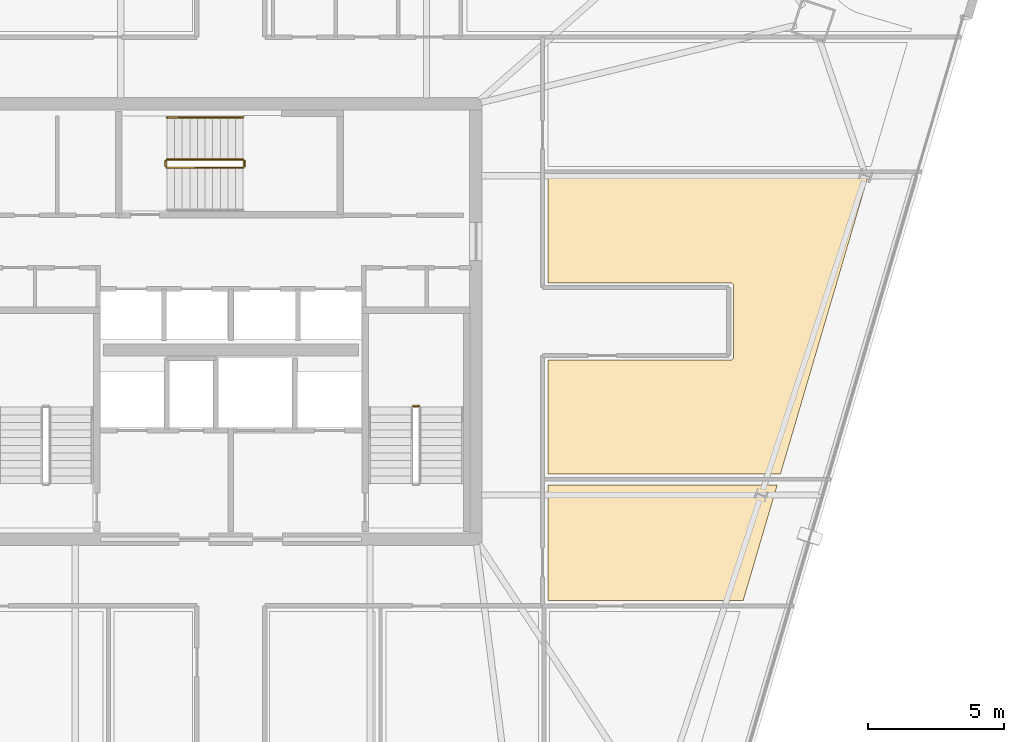
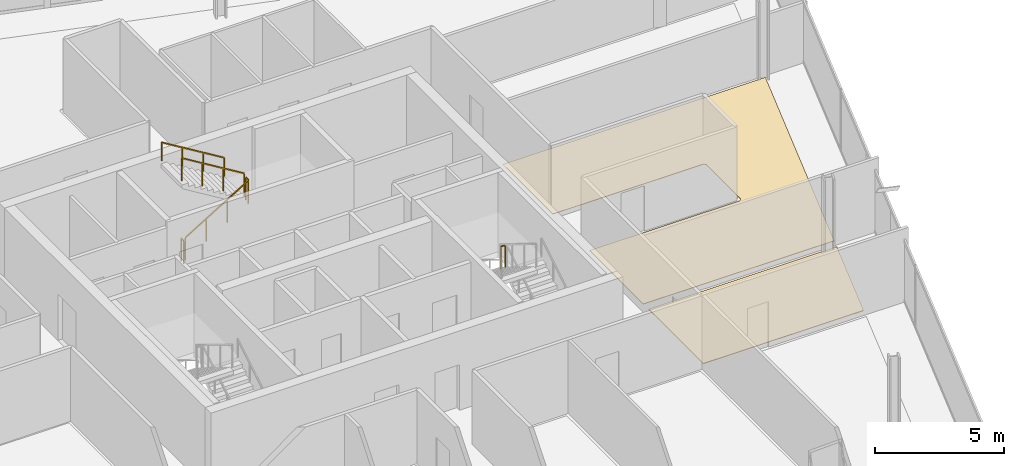
# One storey, part 25 of 26: 6 railings, 2 coverings.
"""IFC4 building model written with IfcOpenShell, lengths in metres."""

from ifc_helpers import new_model, si_unit, direction, frame, origin, origin_2d, place, context, subcontext, project, spatial, polyline, rectangle, outline, extrude, material, layer, layer_set, type_object, element, save


model = new_model("IFC4")

# Units and contexts
model_context = context("Model", 3, precision=1e-05, world=origin(), true_north=direction((0.0, 1.0)))
body_context = subcontext(model_context, "Body", "Model", "MODEL_VIEW")
ifc_project = project(units=[si_unit("LENGTHUNIT", "METRE"), si_unit("AREAUNIT", "SQUARE_METRE"), si_unit("VOLUMEUNIT", "CUBIC_METRE"), si_unit("PLANEANGLEUNIT", "RADIAN"), si_unit("MASSUNIT", "GRAM", prefix="KILO")], contexts=[model_context])

# Site, building, storey
site_placement = place(None, origin())
site = spatial("IfcSite", under=ifc_project, at=site_placement, CompositionType="ELEMENT")
building_placement = place(site_placement, origin())
building = spatial("IfcBuilding", under=site, at=building_placement, Name="Haldenkirk Collegiate Tower", CompositionType="ELEMENT")
storey_placement = place(building_placement, frame((0.0, 0.0, 274.949951171875)))
storey = spatial("IfcBuildingStorey", under=building, at=storey_placement, Name="L69", CompositionType="ELEMENT", Elevation=274.949951171875)

# Coverings
ifc_material_1 = material(Name="Polished collegiate terrazzo", Category="concrete")
ifc_layer_1 = layer(ifc_material_1, 0.02490234375)
ifc_layer_set_1 = layer_set([ifc_layer_1], Name="Polished collegiate terrazzo")
covering_type_1 = type_object("IfcCoveringType", Name="COV-FLOOR-TERRAZZO", PredefinedType="FLOORING", material=ifc_layer_set_1)
covering_1_placement = place(storey_placement, origin())
element("IfcCovering", 1, at=covering_1_placement, inside=storey, type_object=covering_type_1, Name="L69 academic room finish 08", PredefinedType="FLOORING", context=body_context, shape_type="SweptSolid", body=[
    extrude(outline(polyline([(54.826904296875, 15.75), (47.64990234375, 15.75), (47.64990234375, 20.0), (56.077880859375, 20.0), (54.826904296875, 15.75)])), origin(), (0.0, 0.0, 1.0), 0.025146484375),
])
ifc_material_2 = material(Name="Engineered collegiate oak acoustic flooring", Category="wood")
ifc_layer_2 = layer(ifc_material_2, 0.02197265625)
ifc_layer_set_2 = layer_set([ifc_layer_2], Name="Engineered collegiate oak acoustic flooring")
covering_type_2 = type_object("IfcCoveringType", Name="COV-FLOOR-TIMBER", PredefinedType="FLOORING", material=ifc_layer_set_2)
covering_2_placement = place(storey_placement, origin())
element("IfcCovering", 2, at=covering_2_placement, inside=storey, type_object=covering_type_2, Name="L69 academic room finish 09", PredefinedType="FLOORING", context=body_context, shape_type="SweptSolid", body=[
    extrude(outline(polyline([(54.35009765625, 24.580078125), (54.36181640625, 24.58056640625), (54.373291015625, 24.582275390625), (54.384765625, 24.585205078125), (54.39599609375, 24.589111328125), (54.406494140625, 24.59423828125), (54.416748046875, 24.60009765625), (54.426025390625, 24.607177734375), (54.434814453125, 24.614990234375), (54.44287109375, 24.623779296875), (54.44970703125, 24.63330078125), (54.455810546875, 24.643310546875), (54.4609375, 24.654052734375), (54.46484375, 24.665283203125), (54.4677734375, 24.676513671875), (54.469482421875, 24.688232421875), (54.469970703125, 24.699951171875), (54.469970703125, 27.300048828125), (54.469482421875, 27.311767578125), (54.4677734375, 27.323486328125), (54.46484375, 27.334716796875), (54.4609375, 27.345947265625), (54.455810546875, 27.356689453125), (54.44970703125, 27.36669921875), (54.44287109375, 27.376220703125), (54.434814453125, 27.385009765625), (54.426025390625, 27.392822265625), (54.416748046875, 27.39990234375), (54.406494140625, 27.40576171875), (54.39599609375, 27.410888671875), (54.384765625, 27.414794921875), (54.373291015625, 27.417724609375), (54.36181640625, 27.41943359375), (54.35009765625, 27.419921875), (47.64990234375, 27.419921875), (47.64990234375, 31.300048828125), (59.403564453125, 31.300048828125), (56.195556640625, 20.39990234375), (47.64990234375, 20.39990234375), (47.64990234375, 24.580078125), (54.35009765625, 24.580078125)])), origin(), (0.0, 0.0, 1.0), 0.02197265625),
])

# Railings
ifc_material_3 = material(Name="Painted architectural tubular steel", Category="steel")
railing_type_1 = type_object("IfcRailingType", Name="RLG-STAIR-GUARD-1100", PredefinedType="BALUSTRADE", material=ifc_material_3)
railing_1_placement = place(storey_placement, frame((42.89990234375, 22.89990234375, 1.875)))
element("IfcRailing", 3, at=railing_1_placement, inside=storey, type_object=railing_type_1, Name="L69 ST-2 stair guard 2", PredefinedType="BALUSTRADE", context=body_context, shape_type="SweptSolid", body=[
    extrude(rectangle(XDim=0.048095703125, YDim=0.048095703125, at=origin_2d()), frame((0.0, 0.0, 1.076171875), z_axis=(-1.0, 0.0, 0.0), x_axis=(0.0, -1.0, 0.0)), (0.0, 0.0, 1.0), 0.199951171875),
    extrude(rectangle(XDim=0.0419921875, YDim=0.0419921875, at=origin_2d()), origin(), (0.0, 0.0, 1.0), 1.052001953125),
    extrude(rectangle(XDim=0.0419921875, YDim=0.0419921875, at=origin_2d()), frame((-0.199951171875, 0.0, 0.0)), (0.0, 0.0, 1.0), 1.052001953125),
])
railing_2_placement = place(storey_placement, frame((33.64990234375, 31.64990234375, 0.17041015625)))
element("IfcRailing", 4, at=railing_2_placement, inside=storey, type_object=railing_type_1, Name="L69 ST-3 stair guard 1", PredefinedType="BALUSTRADE", context=body_context, shape_type="SweptSolid", body=[
    extrude(rectangle(XDim=0.048095703125, YDim=0.048095703125, at=origin_2d()), frame((0.0, 0.0, 1.076171875), z_axis=(0.854169791009, 0.0, 0.51999420009), x_axis=(0.0, 1.0, 0.0)), (0.0, 0.0, 1.0), 3.278076171875),
    extrude(rectangle(XDim=0.0419921875, YDim=0.0419921875, at=origin_2d()), origin(), (0.0, 0.0, 1.0), 1.052001953125),
    extrude(rectangle(XDim=0.0419921875, YDim=0.0419921875, at=origin_2d()), frame((0.933349609375, 0.0, 0.568115234375)), (0.0, 0.0, 1.0), 1.052001953125),
    extrude(rectangle(XDim=0.0419921875, YDim=0.0419921875, at=origin_2d()), frame((1.86669921875, 0.0, 1.136474609375)), (0.0, 0.0, 1.0), 1.052001953125),
    extrude(rectangle(XDim=0.0419921875, YDim=0.0419921875, at=origin_2d()), frame((2.800048828125, 0.0, 1.70458984375)), (0.0, 0.0, 1.0), 1.052001953125),
])
railing_3_placement = place(storey_placement, frame((36.5, 31.699951171875, 1.875)))
element("IfcRailing", 5, at=railing_3_placement, inside=storey, type_object=railing_type_1, Name="L69 ST-3 stair guard 2", PredefinedType="BALUSTRADE", context=body_context, shape_type="SweptSolid", body=[
    extrude(rectangle(XDim=0.048095703125, YDim=0.048095703125, at=origin_2d()), frame((0.0, 0.0, 1.076171875), z_axis=(0.0, 1.0, 0.0), x_axis=(-1.0, 0.0, 0.0)), (0.0, 0.0, 1.0), 0.199951171875),
    extrude(rectangle(XDim=0.0419921875, YDim=0.0419921875, at=origin_2d()), origin(), (0.0, 0.0, 1.0), 1.052001953125),
    extrude(rectangle(XDim=0.0419921875, YDim=0.0419921875, at=origin_2d()), frame((0.0, 0.199951171875, 0.0)), (0.0, 0.0, 1.0), 1.052001953125),
])
railing_4_placement = place(storey_placement, frame((36.449951171875, 31.949951171875, 2.04541015625)))
element("IfcRailing", 6, at=railing_4_placement, inside=storey, type_object=railing_type_1, Name="L69 ST-3 stair guard 3", PredefinedType="BALUSTRADE", context=body_context, shape_type="SweptSolid", body=[
    extrude(rectangle(XDim=0.048095703125, YDim=0.048095703125, at=origin_2d()), frame((0.0, 0.0, 1.076171875), z_axis=(-0.854169791009, 0.0, 0.51999420009), x_axis=(0.0, -1.0, 0.0)), (0.0, 0.0, 1.0), 3.278076171875),
    extrude(rectangle(XDim=0.0419921875, YDim=0.0419921875, at=origin_2d()), origin(), (0.0, 0.0, 1.0), 1.052001953125),
    extrude(rectangle(XDim=0.0419921875, YDim=0.0419921875, at=origin_2d()), frame((-0.933349609375, 0.0, 0.568115234375)), (0.0, 0.0, 1.0), 1.052001953125),
    extrude(rectangle(XDim=0.0419921875, YDim=0.0419921875, at=origin_2d()), frame((-1.86669921875, 0.0, 1.136474609375)), (0.0, 0.0, 1.0), 1.052001953125),
    extrude(rectangle(XDim=0.0419921875, YDim=0.0419921875, at=origin_2d()), frame((-2.800048828125, 0.0, 1.70458984375)), (0.0, 0.0, 1.0), 1.052001953125),
])
railing_5_placement = place(storey_placement, frame((33.60009765625, 31.699951171875, 0.0)))
element("IfcRailing", 7, at=railing_5_placement, inside=storey, type_object=railing_type_1, Name="L69 ST-3 stair guard 4", PredefinedType="BALUSTRADE", context=body_context, shape_type="SweptSolid", body=[
    extrude(rectangle(XDim=0.048095703125, YDim=0.048095703125, at=origin_2d()), frame((0.0, 0.0, 1.076171875), z_axis=(0.0, 1.0, 0.0), x_axis=(-1.0, 0.0, 0.0)), (0.0, 0.0, 1.0), 0.199951171875),
    extrude(rectangle(XDim=0.0419921875, YDim=0.0419921875, at=origin_2d()), origin(), (0.0, 0.0, 1.0), 1.052001953125),
    extrude(rectangle(XDim=0.0419921875, YDim=0.0419921875, at=origin_2d()), frame((0.0, 0.199951171875, 0.0)), (0.0, 0.0, 1.0), 1.052001953125),
])
railing_type_2 = type_object("IfcRailingType", Name="RLG-STAIR-HANDRAIL-900", PredefinedType="HANDRAIL", material=ifc_material_3)
railing_6_placement = place(storey_placement, frame((36.449951171875, 33.5, 2.04541015625)))
element("IfcRailing", 8, at=railing_6_placement, inside=storey, type_object=railing_type_2, Name="L69 ST-3 stair handrail 2", PredefinedType="HANDRAIL", context=body_context, shape_type="SweptSolid", body=[
    extrude(rectangle(XDim=0.048095703125, YDim=0.048095703125, at=origin_2d()), frame((0.0, 0.0, 0.8759765625), z_axis=(-0.854169791009, 0.0, 0.51999420009), x_axis=(0.0, -1.0, 0.0)), (0.0, 0.0, 1.0), 3.278076171875),
    extrude(rectangle(XDim=0.0419921875, YDim=0.0419921875, at=origin_2d()), origin(), (0.0, 0.0, 1.0), 0.851806640625),
    extrude(rectangle(XDim=0.0419921875, YDim=0.0419921875, at=origin_2d()), frame((-0.933349609375, 0.0, 0.568115234375)), (0.0, 0.0, 1.0), 0.851806640625),
    extrude(rectangle(XDim=0.0419921875, YDim=0.0419921875, at=origin_2d()), frame((-1.86669921875, 0.0, 1.136474609375)), (0.0, 0.0, 1.0), 0.851806640625),
    extrude(rectangle(XDim=0.0419921875, YDim=0.0419921875, at=origin_2d()), frame((-2.800048828125, 0.0, 1.70458984375)), (0.0, 0.0, 1.0), 0.851806640625),
])

save(model, "model.ifc")
